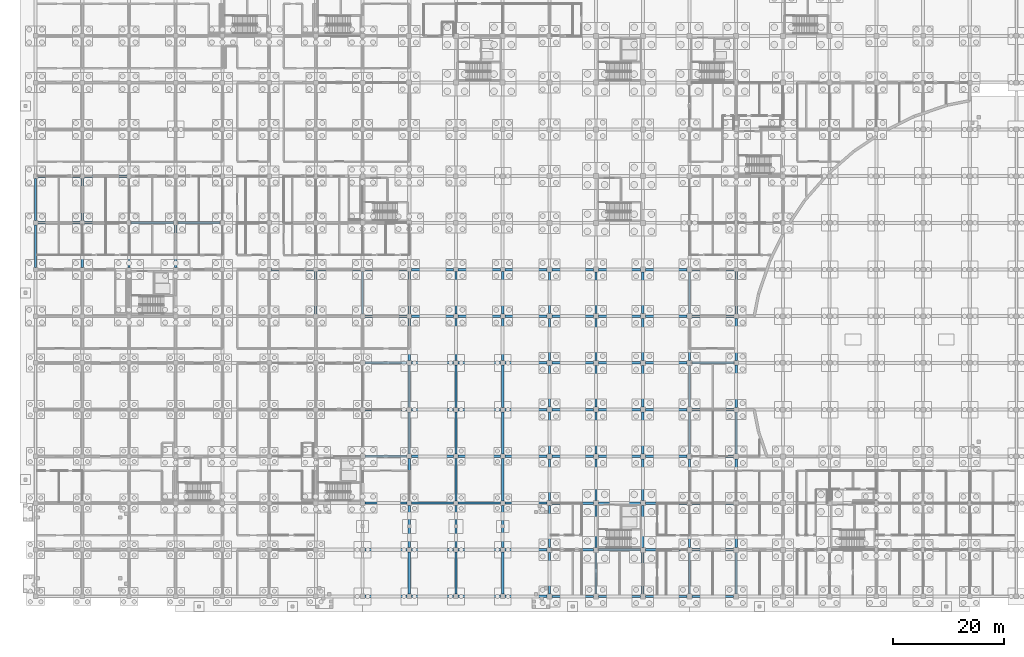
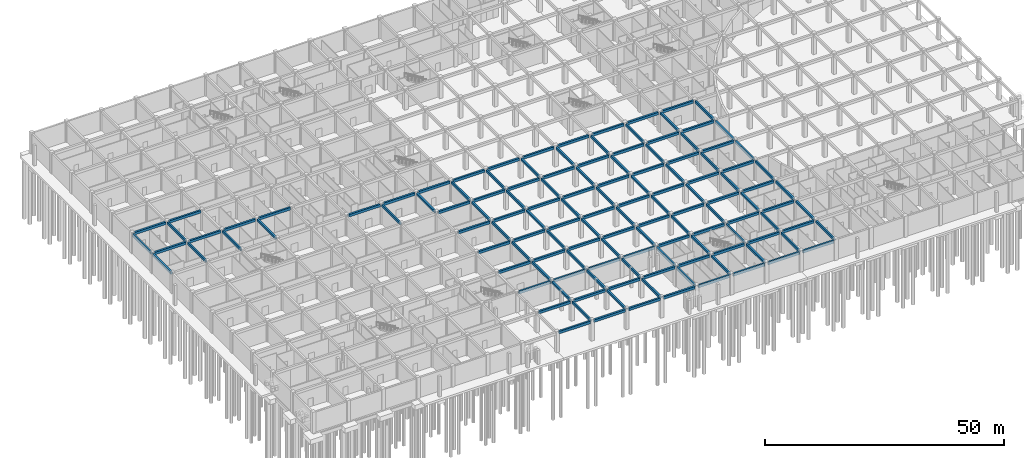
# One storey, part 21 of 65: 136 beams.
"""IFC4 building model written with IfcOpenShell, lengths in metres."""

from ifc_helpers import new_model, si_unit, direction, frame, origin, origin_2d, place, context, subcontext, project, spatial, rectangle, extrude, material, material_profile, profile_set, type_object, element, save


model = new_model("IFC4")

# Units and contexts
model_context = context("Model", 3, precision=1e-05, world=origin(), true_north=direction((0.0, 1.0)))
body_context = subcontext(model_context, "Body", "Model", "MODEL_VIEW")
ifc_project = project(units=[si_unit("LENGTHUNIT", "METRE"), si_unit("AREAUNIT", "SQUARE_METRE"), si_unit("VOLUMEUNIT", "CUBIC_METRE"), si_unit("PLANEANGLEUNIT", "RADIAN"), si_unit("MASSUNIT", "GRAM", prefix="KILO")], contexts=[model_context])

# Site, building, storey
site_placement = place(None, origin())
site = spatial("IfcSite", under=ifc_project, at=site_placement, CompositionType="ELEMENT")
building_placement = place(site_placement, origin())
building = spatial("IfcBuilding", under=site, at=building_placement, Name="Bramfleet General Hospital", CompositionType="ELEMENT")
storey_placement = place(building_placement, frame((0.0, 0.0, -5.39990234375)))
storey = spatial("IfcBuildingStorey", under=building, at=storey_placement, Name="B1", CompositionType="ELEMENT", Elevation=-5.39990234375)

# Beams
ifc_material = material(Name="Concrete C35/45", Category="concrete")
ifc_material_profile_1 = material_profile(ifc_material, rectangle(XDim=0.39990234375, YDim=0.60009765625, at=origin_2d()), Name="RC BM 600x400")
ifc_profile_set_1 = profile_set([ifc_material_profile_1], Name="Concrete C35/45")
beam_type_1 = type_object("IfcBeamType", Name="BM-RC600", PredefinedType="BEAM", material=ifc_profile_set_1)
beam_1_placement = place(storey_placement, frame((8.39990234375, 59.199951171875, 4.77978515625), z_axis=(0.0, 1.0, 0.0), x_axis=(-1.0, 0.0, 0.0)))
element("IfcBeam", 1, at=beam_1_placement, inside=storey, type_object=beam_type_1, Name="B1 Grid Beam Y 01-07", PredefinedType="BEAM", context=body_context, shape_type="SweptSolid", body=[
    extrude(rectangle(XDim=0.39990234375, YDim=0.60009765625, at=origin_2d()), origin(), (0.0, 0.0, 1.0), 7.60009765625),
])
beam_2_placement = place(storey_placement, frame((8.39990234375, 67.60009765625, 4.77978515625), z_axis=(0.0, 1.0, 0.0), x_axis=(-1.0, 0.0, 0.0)))
element("IfcBeam", 2, at=beam_2_placement, inside=storey, type_object=beam_type_1, Name="B1 Grid Beam Y 01-08", PredefinedType="BEAM", context=body_context, shape_type="SweptSolid", body=[
    extrude(rectangle(XDim=0.39990234375, YDim=0.60009765625, at=origin_2d()), origin(), (0.0, 0.0, 1.0), 7.599853515625),
])
for number, where, z_axis, x_axis, name in (
    (3, (16.800048828125, 59.199951171875, 4.77978515625), (0.0, 1.0, 0.0), (-1.0, 0.0, 0.0), "B1 Grid Beam Y 02-07"),
    (4, (25.199951171875, 59.199951171875, 4.77978515625), (0.0, 1.0, 0.0), (-1.0, 0.0, 0.0), "B1 Grid Beam Y 03-07"),
):
    element("IfcBeam", number, at=place(storey_placement, frame(where, z_axis=z_axis, x_axis=x_axis)), inside=storey, type_object=beam_type_1, Name=name, PredefinedType="BEAM", context=body_context, shape_type="SweptSolid", body=[
        extrude(rectangle(XDim=0.39990234375, YDim=0.60009765625, at=origin_2d()), origin(), (0.0, 0.0, 1.0), 7.60009765625),
    ])
for number, where, z_axis, x_axis, name in (
    (5, (50.39990234375, 50.800048828125, 4.77978515625), (0.0, 1.0, 0.0), (-1.0, 0.0, 0.0), "B1 Grid Beam Y 06-06"),
    (6, (58.800048828125, 50.800048828125, 4.77978515625), (0.0, 1.0, 0.0), (-1.0, 0.0, 0.0), "B1 Grid Beam Y 07-06"),
):
    element("IfcBeam", number, at=place(storey_placement, frame(where, z_axis=z_axis, x_axis=x_axis)), inside=storey, type_object=beam_type_1, Name=name, PredefinedType="BEAM", context=body_context, shape_type="SweptSolid", body=[
        extrude(rectangle(XDim=0.39990234375, YDim=0.60009765625, at=origin_2d()), origin(), (0.0, 0.0, 1.0), 7.599853515625),
    ])
beam_3_placement = place(storey_placement, frame((67.199951171875, 0.39990234375, 4.77978515625), z_axis=(0.0, 1.0, 0.0), x_axis=(-1.0, 0.0, 0.0)))
element("IfcBeam", 7, at=beam_3_placement, inside=storey, type_object=beam_type_1, Name="B1 Grid Beam Y 08-00", PredefinedType="BEAM", context=body_context, shape_type="SweptSolid", body=[
    extrude(rectangle(XDim=0.39990234375, YDim=0.60009765625, at=origin_2d()), origin(), (0.0, 0.0, 1.0), 7.60009765625),
])
beam_4_placement = place(storey_placement, frame((67.199951171875, 8.800048828125, 4.77978515625), z_axis=(0.0, 1.0, 0.0), x_axis=(-1.0, 0.0, 0.0)))
element("IfcBeam", 8, at=beam_4_placement, inside=storey, type_object=beam_type_1, Name="B1 Grid Beam Y 08-01", PredefinedType="BEAM", context=body_context, shape_type="SweptSolid", body=[
    extrude(rectangle(XDim=0.39990234375, YDim=0.60009765625, at=origin_2d()), origin(), (0.0, 0.0, 1.0), 7.599853515625),
])
beam_5_placement = place(storey_placement, frame((67.199951171875, 17.199951171875, 4.77978515625), z_axis=(0.0, 1.0, 0.0), x_axis=(-1.0, 0.0, 0.0)))
element("IfcBeam", 9, at=beam_5_placement, inside=storey, type_object=beam_type_1, Name="B1 Grid Beam Y 08-02", PredefinedType="BEAM", context=body_context, shape_type="SweptSolid", body=[
    extrude(rectangle(XDim=0.39990234375, YDim=0.60009765625, at=origin_2d()), origin(), (0.0, 0.0, 1.0), 7.60009765625),
])
beam_6_placement = place(storey_placement, frame((67.199951171875, 25.60009765625, 4.77978515625), z_axis=(0.0, 1.0, 0.0), x_axis=(-1.0, 0.0, 0.0)))
element("IfcBeam", 10, at=beam_6_placement, inside=storey, type_object=beam_type_1, Name="B1 Grid Beam Y 08-03", PredefinedType="BEAM", context=body_context, shape_type="SweptSolid", body=[
    extrude(rectangle(XDim=0.39990234375, YDim=0.60009765625, at=origin_2d()), origin(), (0.0, 0.0, 1.0), 7.599853515625),
])
for number, where, z_axis, x_axis, name in (
    (11, (67.199951171875, 34.0, 4.77978515625), (0.0, 1.0, 0.0), (-1.0, 0.0, 0.0), "B1 Grid Beam Y 08-04"),
    (12, (67.199951171875, 42.39990234375, 4.77978515625), (0.0, 1.0, 0.0), (-1.0, 0.0, 0.0), "B1 Grid Beam Y 08-05"),
):
    element("IfcBeam", number, at=place(storey_placement, frame(where, z_axis=z_axis, x_axis=x_axis)), inside=storey, type_object=beam_type_1, Name=name, PredefinedType="BEAM", context=body_context, shape_type="SweptSolid", body=[
        extrude(rectangle(XDim=0.39990234375, YDim=0.60009765625, at=origin_2d()), origin(), (0.0, 0.0, 1.0), 7.60009765625),
    ])
beam_7_placement = place(storey_placement, frame((67.199951171875, 50.800048828125, 4.77978515625), z_axis=(0.0, 1.0, 0.0), x_axis=(-1.0, 0.0, 0.0)))
element("IfcBeam", 13, at=beam_7_placement, inside=storey, type_object=beam_type_1, Name="B1 Grid Beam Y 08-06", PredefinedType="BEAM", context=body_context, shape_type="SweptSolid", body=[
    extrude(rectangle(XDim=0.39990234375, YDim=0.60009765625, at=origin_2d()), origin(), (0.0, 0.0, 1.0), 7.599853515625),
])
beam_8_placement = place(storey_placement, frame((75.60009765625, 0.39990234375, 4.77978515625), z_axis=(0.0, 1.0, 0.0), x_axis=(-1.0, 0.0, 0.0)))
element("IfcBeam", 14, at=beam_8_placement, inside=storey, type_object=beam_type_1, Name="B1 Grid Beam Y 09-00", PredefinedType="BEAM", context=body_context, shape_type="SweptSolid", body=[
    extrude(rectangle(XDim=0.39990234375, YDim=0.60009765625, at=origin_2d()), origin(), (0.0, 0.0, 1.0), 7.60009765625),
])
beam_9_placement = place(storey_placement, frame((75.60009765625, 8.800048828125, 4.77978515625), z_axis=(0.0, 1.0, 0.0), x_axis=(-1.0, 0.0, 0.0)))
element("IfcBeam", 15, at=beam_9_placement, inside=storey, type_object=beam_type_1, Name="B1 Grid Beam Y 09-01", PredefinedType="BEAM", context=body_context, shape_type="SweptSolid", body=[
    extrude(rectangle(XDim=0.39990234375, YDim=0.60009765625, at=origin_2d()), origin(), (0.0, 0.0, 1.0), 7.599853515625),
])
beam_10_placement = place(storey_placement, frame((75.60009765625, 17.199951171875, 4.77978515625), z_axis=(0.0, 1.0, 0.0), x_axis=(-1.0, 0.0, 0.0)))
element("IfcBeam", 16, at=beam_10_placement, inside=storey, type_object=beam_type_1, Name="B1 Grid Beam Y 09-02", PredefinedType="BEAM", context=body_context, shape_type="SweptSolid", body=[
    extrude(rectangle(XDim=0.39990234375, YDim=0.60009765625, at=origin_2d()), origin(), (0.0, 0.0, 1.0), 7.60009765625),
])
beam_11_placement = place(storey_placement, frame((75.60009765625, 25.60009765625, 4.77978515625), z_axis=(0.0, 1.0, 0.0), x_axis=(-1.0, 0.0, 0.0)))
element("IfcBeam", 17, at=beam_11_placement, inside=storey, type_object=beam_type_1, Name="B1 Grid Beam Y 09-03", PredefinedType="BEAM", context=body_context, shape_type="SweptSolid", body=[
    extrude(rectangle(XDim=0.39990234375, YDim=0.60009765625, at=origin_2d()), origin(), (0.0, 0.0, 1.0), 7.599853515625),
])
for number, where, z_axis, x_axis, name in (
    (18, (75.60009765625, 34.0, 4.77978515625), (0.0, 1.0, 0.0), (-1.0, 0.0, 0.0), "B1 Grid Beam Y 09-04"),
    (19, (75.60009765625, 42.39990234375, 4.77978515625), (0.0, 1.0, 0.0), (-1.0, 0.0, 0.0), "B1 Grid Beam Y 09-05"),
):
    element("IfcBeam", number, at=place(storey_placement, frame(where, z_axis=z_axis, x_axis=x_axis)), inside=storey, type_object=beam_type_1, Name=name, PredefinedType="BEAM", context=body_context, shape_type="SweptSolid", body=[
        extrude(rectangle(XDim=0.39990234375, YDim=0.60009765625, at=origin_2d()), origin(), (0.0, 0.0, 1.0), 7.60009765625),
    ])
beam_12_placement = place(storey_placement, frame((75.60009765625, 50.800048828125, 4.77978515625), z_axis=(0.0, 1.0, 0.0), x_axis=(-1.0, 0.0, 0.0)))
element("IfcBeam", 20, at=beam_12_placement, inside=storey, type_object=beam_type_1, Name="B1 Grid Beam Y 09-06", PredefinedType="BEAM", context=body_context, shape_type="SweptSolid", body=[
    extrude(rectangle(XDim=0.39990234375, YDim=0.60009765625, at=origin_2d()), origin(), (0.0, 0.0, 1.0), 7.599853515625),
])
beam_13_placement = place(storey_placement, frame((84.0, 0.39990234375, 4.77978515625), z_axis=(0.0, 1.0, 0.0), x_axis=(-1.0, 0.0, 0.0)))
element("IfcBeam", 21, at=beam_13_placement, inside=storey, type_object=beam_type_1, Name="B1 Grid Beam Y 10-00", PredefinedType="BEAM", context=body_context, shape_type="SweptSolid", body=[
    extrude(rectangle(XDim=0.39990234375, YDim=0.60009765625, at=origin_2d()), origin(), (0.0, 0.0, 1.0), 7.60009765625),
])
beam_14_placement = place(storey_placement, frame((84.0, 8.800048828125, 4.77978515625), z_axis=(0.0, 1.0, 0.0), x_axis=(-1.0, 0.0, 0.0)))
element("IfcBeam", 22, at=beam_14_placement, inside=storey, type_object=beam_type_1, Name="B1 Grid Beam Y 10-01", PredefinedType="BEAM", context=body_context, shape_type="SweptSolid", body=[
    extrude(rectangle(XDim=0.39990234375, YDim=0.60009765625, at=origin_2d()), origin(), (0.0, 0.0, 1.0), 7.599853515625),
])
beam_15_placement = place(storey_placement, frame((84.0, 17.199951171875, 4.77978515625), z_axis=(0.0, 1.0, 0.0), x_axis=(-1.0, 0.0, 0.0)))
element("IfcBeam", 23, at=beam_15_placement, inside=storey, type_object=beam_type_1, Name="B1 Grid Beam Y 10-02", PredefinedType="BEAM", context=body_context, shape_type="SweptSolid", body=[
    extrude(rectangle(XDim=0.39990234375, YDim=0.60009765625, at=origin_2d()), origin(), (0.0, 0.0, 1.0), 7.60009765625),
])
beam_16_placement = place(storey_placement, frame((84.0, 25.60009765625, 4.77978515625), z_axis=(0.0, 1.0, 0.0), x_axis=(-1.0, 0.0, 0.0)))
element("IfcBeam", 24, at=beam_16_placement, inside=storey, type_object=beam_type_1, Name="B1 Grid Beam Y 10-03", PredefinedType="BEAM", context=body_context, shape_type="SweptSolid", body=[
    extrude(rectangle(XDim=0.39990234375, YDim=0.60009765625, at=origin_2d()), origin(), (0.0, 0.0, 1.0), 7.599853515625),
])
for number, where, z_axis, x_axis, name in (
    (25, (84.0, 34.0, 4.77978515625), (0.0, 1.0, 0.0), (-1.0, 0.0, 0.0), "B1 Grid Beam Y 10-04"),
    (26, (84.0, 42.39990234375, 4.77978515625), (0.0, 1.0, 0.0), (-1.0, 0.0, 0.0), "B1 Grid Beam Y 10-05"),
):
    element("IfcBeam", number, at=place(storey_placement, frame(where, z_axis=z_axis, x_axis=x_axis)), inside=storey, type_object=beam_type_1, Name=name, PredefinedType="BEAM", context=body_context, shape_type="SweptSolid", body=[
        extrude(rectangle(XDim=0.39990234375, YDim=0.60009765625, at=origin_2d()), origin(), (0.0, 0.0, 1.0), 7.60009765625),
    ])
beam_17_placement = place(storey_placement, frame((84.0, 50.800048828125, 4.77978515625), z_axis=(0.0, 1.0, 0.0), x_axis=(-1.0, 0.0, 0.0)))
element("IfcBeam", 27, at=beam_17_placement, inside=storey, type_object=beam_type_1, Name="B1 Grid Beam Y 10-06", PredefinedType="BEAM", context=body_context, shape_type="SweptSolid", body=[
    extrude(rectangle(XDim=0.39990234375, YDim=0.60009765625, at=origin_2d()), origin(), (0.0, 0.0, 1.0), 7.599853515625),
])
for number, where, z_axis, x_axis, name in (
    (28, (92.39990234375, 17.25, 4.77978515625), (0.0, 1.0, 0.0), (-1.0, 0.0, 0.0), "B1 Grid Beam Y 11-02"),
    (29, (92.39990234375, 25.64990234375, 4.77978515625), (0.0, 1.0, 0.0), (-1.0, 0.0, 0.0), "B1 Grid Beam Y 11-03"),
    (30, (92.39990234375, 34.050048828125, 4.77978515625), (0.0, 1.0, 0.0), (-1.0, 0.0, 0.0), "B1 Grid Beam Y 11-04"),
    (31, (92.39990234375, 42.449951171875, 4.77978515625), (0.0, 1.0, 0.0), (-1.0, 0.0, 0.0), "B1 Grid Beam Y 11-05"),
    (32, (92.39990234375, 50.85009765625, 4.77978515625), (0.0, 1.0, 0.0), (-1.0, 0.0, 0.0), "B1 Grid Beam Y 11-06"),
    (33, (100.800048828125, 0.449951171875, 4.77978515625), (0.0, 1.0, 0.0), (-1.0, 0.0, 0.0), "B1 Grid Beam Y 12-00"),
    (34, (100.800048828125, 8.85009765625, 4.77978515625), (0.0, 1.0, 0.0), (-1.0, 0.0, 0.0), "B1 Grid Beam Y 12-01"),
    (35, (100.800048828125, 17.25, 4.77978515625), (0.0, 1.0, 0.0), (-1.0, 0.0, 0.0), "B1 Grid Beam Y 12-02"),
    (36, (100.800048828125, 25.64990234375, 4.77978515625), (0.0, 1.0, 0.0), (-1.0, 0.0, 0.0), "B1 Grid Beam Y 12-03"),
    (37, (100.800048828125, 34.050048828125, 4.77978515625), (0.0, 1.0, 0.0), (-1.0, 0.0, 0.0), "B1 Grid Beam Y 12-04"),
    (38, (100.800048828125, 42.449951171875, 4.77978515625), (0.0, 1.0, 0.0), (-1.0, 0.0, 0.0), "B1 Grid Beam Y 12-05"),
    (39, (100.800048828125, 50.85009765625, 4.77978515625), (0.0, 1.0, 0.0), (-1.0, 0.0, 0.0), "B1 Grid Beam Y 12-06"),
    (40, (109.199951171875, 0.449951171875, 4.77978515625), (0.0, 1.0, 0.0), (-1.0, 0.0, 0.0), "B1 Grid Beam Y 13-00"),
    (41, (109.199951171875, 8.85009765625, 4.77978515625), (0.0, 1.0, 0.0), (-1.0, 0.0, 0.0), "B1 Grid Beam Y 13-01"),
    (42, (109.199951171875, 17.25, 4.77978515625), (0.0, 1.0, 0.0), (-1.0, 0.0, 0.0), "B1 Grid Beam Y 13-02"),
    (43, (109.199951171875, 25.64990234375, 4.77978515625), (0.0, 1.0, 0.0), (-1.0, 0.0, 0.0), "B1 Grid Beam Y 13-03"),
    (44, (109.199951171875, 34.050048828125, 4.77978515625), (0.0, 1.0, 0.0), (-1.0, 0.0, 0.0), "B1 Grid Beam Y 13-04"),
    (45, (109.199951171875, 42.449951171875, 4.77978515625), (0.0, 1.0, 0.0), (-1.0, 0.0, 0.0), "B1 Grid Beam Y 13-05"),
    (46, (109.199951171875, 50.85009765625, 4.77978515625), (0.0, 1.0, 0.0), (-1.0, 0.0, 0.0), "B1 Grid Beam Y 13-06"),
    (47, (117.60009765625, 0.449951171875, 4.77978515625), (0.0, 1.0, 0.0), (-1.0, 0.0, 0.0), "B1 Grid Beam Y 14-00"),
    (48, (117.60009765625, 8.85009765625, 4.77978515625), (0.0, 1.0, 0.0), (-1.0, 0.0, 0.0), "B1 Grid Beam Y 14-01"),
    (49, (117.60009765625, 17.25, 4.77978515625), (0.0, 1.0, 0.0), (-1.0, 0.0, 0.0), "B1 Grid Beam Y 14-02"),
    (50, (117.60009765625, 25.64990234375, 4.77978515625), (0.0, 1.0, 0.0), (-1.0, 0.0, 0.0), "B1 Grid Beam Y 14-03"),
    (51, (117.60009765625, 34.050048828125, 4.77978515625), (0.0, 1.0, 0.0), (-1.0, 0.0, 0.0), "B1 Grid Beam Y 14-04"),
    (52, (117.60009765625, 42.449951171875, 4.77978515625), (0.0, 1.0, 0.0), (-1.0, 0.0, 0.0), "B1 Grid Beam Y 14-05"),
    (53, (117.60009765625, 50.85009765625, 4.77978515625), (0.0, 1.0, 0.0), (-1.0, 0.0, 0.0), "B1 Grid Beam Y 14-06"),
    (54, (126.0, 0.449951171875, 4.77978515625), (0.0, 1.0, 0.0), (-1.0, 0.0, 0.0), "B1 Grid Beam Y 15-00"),
    (55, (126.0, 8.85009765625, 4.77978515625), (0.0, 1.0, 0.0), (-1.0, 0.0, 0.0), "B1 Grid Beam Y 15-01"),
    (56, (126.0, 17.25, 4.77978515625), (0.0, 1.0, 0.0), (-1.0, 0.0, 0.0), "B1 Grid Beam Y 15-02"),
):
    element("IfcBeam", number, at=place(storey_placement, frame(where, z_axis=z_axis, x_axis=x_axis)), inside=storey, type_object=beam_type_1, Name=name, PredefinedType="BEAM", context=body_context, shape_type="SweptSolid", body=[
        extrude(rectangle(XDim=0.39990234375, YDim=0.60009765625, at=origin_2d()), origin(), (0.0, 0.0, 1.0), 7.5),
    ])
beam_18_placement = place(storey_placement, frame((126.0, 25.64990234375, 4.77978515625), z_axis=(0.0, 1.0, 0.0), x_axis=(-1.0, 0.0, 0.0)))
element("IfcBeam", 57, at=beam_18_placement, inside=storey, type_object=beam_type_1, Name="B1 Grid Beam Y 15-03", PredefinedType="BEAM", context=body_context, shape_type="SweptSolid", body=[
    extrude(rectangle(XDim=0.39990234375, YDim=0.60009765625, at=origin_2d()), origin(), (0.0, 0.0, 1.0), 7.550048828125),
])
beam_19_placement = place(storey_placement, frame((126.0, 50.800048828125, 4.77978515625), z_axis=(0.0, 1.0, 0.0), x_axis=(-1.0, 0.0, 0.0)))
element("IfcBeam", 58, at=beam_19_placement, inside=storey, type_object=beam_type_1, Name="B1 Grid Beam Y 15-06", PredefinedType="BEAM", context=body_context, shape_type="SweptSolid", body=[
    extrude(rectangle(XDim=0.39990234375, YDim=0.60009765625, at=origin_2d()), origin(), (0.0, 0.0, 1.0), 7.599853515625),
])
ifc_material_profile_2 = material_profile(ifc_material, rectangle(XDim=0.449951171875, YDim=0.64990234375, at=origin_2d()), Name="RC BM 650x450")
ifc_profile_set_2 = profile_set([ifc_material_profile_2], Name="Concrete C35/45")
beam_type_2 = type_object("IfcBeamType", Name="BM-RC650", PredefinedType="BEAM", material=ifc_profile_set_2)
for number, where, z_axis, x_axis, name in (
    (59, (0.39990234375, 67.199951171875, 4.7548828125), (1.0, 0.0, 0.0), (0.0, 1.0, 0.0), "B1 Grid Beam X 00-08"),
    (60, (0.39990234375, 75.60009765625, 4.7548828125), (1.0, 0.0, 0.0), (0.0, 1.0, 0.0), "B1 Grid Beam X 00-09"),
):
    element("IfcBeam", number, at=place(storey_placement, frame(where, z_axis=z_axis, x_axis=x_axis)), inside=storey, type_object=beam_type_2, Name=name, PredefinedType="BEAM", context=body_context, shape_type="SweptSolid", body=[
        extrude(rectangle(XDim=0.449951171875, YDim=0.64990234375, at=origin_2d()), origin(), (0.0, 0.0, 1.0), 7.60009765625),
    ])
for number, where, z_axis, x_axis, name in (
    (61, (8.800048828125, 67.199951171875, 4.7548828125), (1.0, 0.0, 0.0), (0.0, 1.0, 0.0), "B1 Grid Beam X 01-08"),
    (62, (8.800048828125, 75.60009765625, 4.7548828125), (1.0, 0.0, 0.0), (0.0, 1.0, 0.0), "B1 Grid Beam X 01-09"),
):
    element("IfcBeam", number, at=place(storey_placement, frame(where, z_axis=z_axis, x_axis=x_axis)), inside=storey, type_object=beam_type_2, Name=name, PredefinedType="BEAM", context=body_context, shape_type="SweptSolid", body=[
        extrude(rectangle(XDim=0.449951171875, YDim=0.64990234375, at=origin_2d()), origin(), (0.0, 0.0, 1.0), 7.599853515625),
    ])
beam_20_placement = place(storey_placement, frame((17.199951171875, 67.199951171875, 4.7548828125), z_axis=(1.0, 0.0, 0.0), x_axis=(0.0, 1.0, 0.0)))
element("IfcBeam", 63, at=beam_20_placement, inside=storey, type_object=beam_type_2, Name="B1 Grid Beam X 02-08", PredefinedType="BEAM", context=body_context, shape_type="SweptSolid", body=[
    extrude(rectangle(XDim=0.449951171875, YDim=0.64990234375, at=origin_2d()), origin(), (0.0, 0.0, 1.0), 7.60009765625),
])
beam_21_placement = place(storey_placement, frame((25.60009765625, 67.199951171875, 4.7548828125), z_axis=(1.0, 0.0, 0.0), x_axis=(0.0, 1.0, 0.0)))
element("IfcBeam", 64, at=beam_21_placement, inside=storey, type_object=beam_type_2, Name="B1 Grid Beam X 03-08", PredefinedType="BEAM", context=body_context, shape_type="SweptSolid", body=[
    extrude(rectangle(XDim=0.449951171875, YDim=0.64990234375, at=origin_2d()), origin(), (0.0, 0.0, 1.0), 7.599853515625),
])
beam_22_placement = place(storey_placement, frame((42.39990234375, 58.800048828125, 4.7548828125), z_axis=(1.0, 0.0, 0.0), x_axis=(0.0, 1.0, 0.0)))
element("IfcBeam", 65, at=beam_22_placement, inside=storey, type_object=beam_type_2, Name="B1 Grid Beam X 05-07", PredefinedType="BEAM", context=body_context, shape_type="SweptSolid", body=[
    extrude(rectangle(XDim=0.449951171875, YDim=0.64990234375, at=origin_2d()), origin(), (0.0, 0.0, 1.0), 7.60009765625),
])
beam_23_placement = place(storey_placement, frame((50.800048828125, 58.800048828125, 4.7548828125), z_axis=(1.0, 0.0, 0.0), x_axis=(0.0, 1.0, 0.0)))
element("IfcBeam", 66, at=beam_23_placement, inside=storey, type_object=beam_type_2, Name="B1 Grid Beam X 06-07", PredefinedType="BEAM", context=body_context, shape_type="SweptSolid", body=[
    extrude(rectangle(XDim=0.449951171875, YDim=0.64990234375, at=origin_2d()), origin(), (0.0, 0.0, 1.0), 7.599853515625),
])
for number, where, z_axis, x_axis, name in (
    (67, (59.199951171875, 0.0, 4.7548828125), (1.0, 0.0, 0.0), (0.0, 1.0, 0.0), "B1 Grid Beam X 07-00"),
    (68, (59.199951171875, 8.39990234375, 4.7548828125), (1.0, 0.0, 0.0), (0.0, 1.0, 0.0), "B1 Grid Beam X 07-01"),
    (69, (59.199951171875, 25.199951171875, 4.7548828125), (1.0, 0.0, 0.0), (0.0, 1.0, 0.0), "B1 Grid Beam X 07-03"),
    (70, (59.199951171875, 33.60009765625, 4.7548828125), (1.0, 0.0, 0.0), (0.0, 1.0, 0.0), "B1 Grid Beam X 07-04"),
    (71, (59.199951171875, 42.0, 4.7548828125), (1.0, 0.0, 0.0), (0.0, 1.0, 0.0), "B1 Grid Beam X 07-05"),
    (72, (59.199951171875, 50.39990234375, 4.7548828125), (1.0, 0.0, 0.0), (0.0, 1.0, 0.0), "B1 Grid Beam X 07-06"),
    (73, (59.199951171875, 58.800048828125, 4.7548828125), (1.0, 0.0, 0.0), (0.0, 1.0, 0.0), "B1 Grid Beam X 07-07"),
):
    element("IfcBeam", number, at=place(storey_placement, frame(where, z_axis=z_axis, x_axis=x_axis)), inside=storey, type_object=beam_type_2, Name=name, PredefinedType="BEAM", context=body_context, shape_type="SweptSolid", body=[
        extrude(rectangle(XDim=0.449951171875, YDim=0.64990234375, at=origin_2d()), origin(), (0.0, 0.0, 1.0), 7.60009765625),
    ])
for number, where, z_axis, x_axis, name in (
    (74, (67.60009765625, 0.0, 4.7548828125), (1.0, 0.0, 0.0), (0.0, 1.0, 0.0), "B1 Grid Beam X 08-00"),
    (75, (67.60009765625, 8.39990234375, 4.7548828125), (1.0, 0.0, 0.0), (0.0, 1.0, 0.0), "B1 Grid Beam X 08-01"),
    (76, (67.60009765625, 25.199951171875, 4.7548828125), (1.0, 0.0, 0.0), (0.0, 1.0, 0.0), "B1 Grid Beam X 08-03"),
    (77, (67.60009765625, 33.60009765625, 4.7548828125), (1.0, 0.0, 0.0), (0.0, 1.0, 0.0), "B1 Grid Beam X 08-04"),
    (78, (67.60009765625, 42.0, 4.7548828125), (1.0, 0.0, 0.0), (0.0, 1.0, 0.0), "B1 Grid Beam X 08-05"),
    (79, (67.60009765625, 50.39990234375, 4.7548828125), (1.0, 0.0, 0.0), (0.0, 1.0, 0.0), "B1 Grid Beam X 08-06"),
    (80, (67.60009765625, 58.800048828125, 4.7548828125), (1.0, 0.0, 0.0), (0.0, 1.0, 0.0), "B1 Grid Beam X 08-07"),
):
    element("IfcBeam", number, at=place(storey_placement, frame(where, z_axis=z_axis, x_axis=x_axis)), inside=storey, type_object=beam_type_2, Name=name, PredefinedType="BEAM", context=body_context, shape_type="SweptSolid", body=[
        extrude(rectangle(XDim=0.449951171875, YDim=0.64990234375, at=origin_2d()), origin(), (0.0, 0.0, 1.0), 7.599853515625),
    ])
for number, where, z_axis, x_axis, name in (
    (81, (76.0, 0.0, 4.7548828125), (1.0, 0.0, 0.0), (0.0, 1.0, 0.0), "B1 Grid Beam X 09-00"),
    (82, (76.0, 8.39990234375, 4.7548828125), (1.0, 0.0, 0.0), (0.0, 1.0, 0.0), "B1 Grid Beam X 09-01"),
    (83, (76.0, 25.199951171875, 4.7548828125), (1.0, 0.0, 0.0), (0.0, 1.0, 0.0), "B1 Grid Beam X 09-03"),
    (84, (76.0, 33.60009765625, 4.7548828125), (1.0, 0.0, 0.0), (0.0, 1.0, 0.0), "B1 Grid Beam X 09-04"),
    (85, (76.0, 42.0, 4.7548828125), (1.0, 0.0, 0.0), (0.0, 1.0, 0.0), "B1 Grid Beam X 09-05"),
    (86, (76.0, 50.39990234375, 4.7548828125), (1.0, 0.0, 0.0), (0.0, 1.0, 0.0), "B1 Grid Beam X 09-06"),
    (87, (76.0, 58.800048828125, 4.7548828125), (1.0, 0.0, 0.0), (0.0, 1.0, 0.0), "B1 Grid Beam X 09-07"),
):
    element("IfcBeam", number, at=place(storey_placement, frame(where, z_axis=z_axis, x_axis=x_axis)), inside=storey, type_object=beam_type_2, Name=name, PredefinedType="BEAM", context=body_context, shape_type="SweptSolid", body=[
        extrude(rectangle(XDim=0.449951171875, YDim=0.64990234375, at=origin_2d()), origin(), (0.0, 0.0, 1.0), 7.60009765625),
    ])
for number, where, z_axis, x_axis, name in (
    (88, (84.39990234375, 0.0, 4.7548828125), (1.0, 0.0, 0.0), (0.0, 1.0, 0.0), "B1 Grid Beam X 10-00"),
    (89, (84.39990234375, 8.39990234375, 4.7548828125), (1.0, 0.0, 0.0), (0.0, 1.0, 0.0), "B1 Grid Beam X 10-01"),
    (90, (84.39990234375, 25.199951171875, 4.7548828125), (1.0, 0.0, 0.0), (0.0, 1.0, 0.0), "B1 Grid Beam X 10-03"),
    (91, (84.39990234375, 33.60009765625, 4.7548828125), (1.0, 0.0, 0.0), (0.0, 1.0, 0.0), "B1 Grid Beam X 10-04"),
    (92, (84.39990234375, 42.0, 4.7548828125), (1.0, 0.0, 0.0), (0.0, 1.0, 0.0), "B1 Grid Beam X 10-05"),
    (93, (84.39990234375, 50.39990234375, 4.7548828125), (1.0, 0.0, 0.0), (0.0, 1.0, 0.0), "B1 Grid Beam X 10-06"),
    (94, (84.39990234375, 58.800048828125, 4.7548828125), (1.0, 0.0, 0.0), (0.0, 1.0, 0.0), "B1 Grid Beam X 10-07"),
):
    element("IfcBeam", number, at=place(storey_placement, frame(where, z_axis=z_axis, x_axis=x_axis)), inside=storey, type_object=beam_type_2, Name=name, PredefinedType="BEAM", context=body_context, shape_type="SweptSolid", body=[
        extrude(rectangle(XDim=0.449951171875, YDim=0.64990234375, at=origin_2d()), origin(), (0.0, 0.0, 1.0), 7.550048828125),
    ])
for number, where, z_axis, x_axis, name in (
    (95, (92.85009765625, 8.39990234375, 4.7548828125), (1.0, 0.0, 0.0), (0.0, 1.0, 0.0), "B1 Grid Beam X 11-01"),
    (96, (92.85009765625, 16.800048828125, 4.7548828125), (1.0, 0.0, 0.0), (0.0, 1.0, 0.0), "B1 Grid Beam X 11-02"),
    (97, (92.85009765625, 25.199951171875, 4.7548828125), (1.0, 0.0, 0.0), (0.0, 1.0, 0.0), "B1 Grid Beam X 11-03"),
    (98, (92.85009765625, 33.60009765625, 4.7548828125), (1.0, 0.0, 0.0), (0.0, 1.0, 0.0), "B1 Grid Beam X 11-04"),
    (99, (92.85009765625, 42.0, 4.7548828125), (1.0, 0.0, 0.0), (0.0, 1.0, 0.0), "B1 Grid Beam X 11-05"),
    (100, (92.85009765625, 50.39990234375, 4.7548828125), (1.0, 0.0, 0.0), (0.0, 1.0, 0.0), "B1 Grid Beam X 11-06"),
    (101, (92.85009765625, 58.800048828125, 4.7548828125), (1.0, 0.0, 0.0), (0.0, 1.0, 0.0), "B1 Grid Beam X 11-07"),
    (102, (101.25, 8.39990234375, 4.7548828125), (1.0, 0.0, 0.0), (0.0, 1.0, 0.0), "B1 Grid Beam X 12-01"),
    (103, (101.25, 16.800048828125, 4.7548828125), (1.0, 0.0, 0.0), (0.0, 1.0, 0.0), "B1 Grid Beam X 12-02"),
    (104, (101.25, 25.199951171875, 4.7548828125), (1.0, 0.0, 0.0), (0.0, 1.0, 0.0), "B1 Grid Beam X 12-03"),
    (105, (101.25, 33.60009765625, 4.7548828125), (1.0, 0.0, 0.0), (0.0, 1.0, 0.0), "B1 Grid Beam X 12-04"),
    (106, (101.25, 42.0, 4.7548828125), (1.0, 0.0, 0.0), (0.0, 1.0, 0.0), "B1 Grid Beam X 12-05"),
    (107, (101.25, 50.39990234375, 4.7548828125), (1.0, 0.0, 0.0), (0.0, 1.0, 0.0), "B1 Grid Beam X 12-06"),
    (108, (101.25, 58.800048828125, 4.7548828125), (1.0, 0.0, 0.0), (0.0, 1.0, 0.0), "B1 Grid Beam X 12-07"),
    (109, (109.64990234375, 8.39990234375, 4.7548828125), (1.0, 0.0, 0.0), (0.0, 1.0, 0.0), "B1 Grid Beam X 13-01"),
    (110, (109.64990234375, 16.800048828125, 4.7548828125), (1.0, 0.0, 0.0), (0.0, 1.0, 0.0), "B1 Grid Beam X 13-02"),
    (111, (109.64990234375, 25.199951171875, 4.7548828125), (1.0, 0.0, 0.0), (0.0, 1.0, 0.0), "B1 Grid Beam X 13-03"),
    (112, (109.64990234375, 33.60009765625, 4.7548828125), (1.0, 0.0, 0.0), (0.0, 1.0, 0.0), "B1 Grid Beam X 13-04"),
    (113, (109.64990234375, 42.0, 4.7548828125), (1.0, 0.0, 0.0), (0.0, 1.0, 0.0), "B1 Grid Beam X 13-05"),
    (114, (109.64990234375, 50.39990234375, 4.7548828125), (1.0, 0.0, 0.0), (0.0, 1.0, 0.0), "B1 Grid Beam X 13-06"),
    (115, (109.64990234375, 58.800048828125, 4.7548828125), (1.0, 0.0, 0.0), (0.0, 1.0, 0.0), "B1 Grid Beam X 13-07"),
    (116, (118.050048828125, 8.39990234375, 4.7548828125), (1.0, 0.0, 0.0), (0.0, 1.0, 0.0), "B1 Grid Beam X 14-01"),
    (117, (118.050048828125, 16.800048828125, 4.7548828125), (1.0, 0.0, 0.0), (0.0, 1.0, 0.0), "B1 Grid Beam X 14-02"),
    (118, (118.050048828125, 25.199951171875, 4.7548828125), (1.0, 0.0, 0.0), (0.0, 1.0, 0.0), "B1 Grid Beam X 14-03"),
):
    element("IfcBeam", number, at=place(storey_placement, frame(where, z_axis=z_axis, x_axis=x_axis)), inside=storey, type_object=beam_type_2, Name=name, PredefinedType="BEAM", context=body_context, shape_type="SweptSolid", body=[
        extrude(rectangle(XDim=0.449951171875, YDim=0.64990234375, at=origin_2d()), origin(), (0.0, 0.0, 1.0), 7.5),
    ])
for number, where, z_axis, x_axis, name in (
    (119, (118.050048828125, 33.60009765625, 4.7548828125), (1.0, 0.0, 0.0), (0.0, 1.0, 0.0), "B1 Grid Beam X 14-04"),
    (120, (118.050048828125, 42.0, 4.7548828125), (1.0, 0.0, 0.0), (0.0, 1.0, 0.0), "B1 Grid Beam X 14-05"),
    (121, (118.050048828125, 50.39990234375, 4.7548828125), (1.0, 0.0, 0.0), (0.0, 1.0, 0.0), "B1 Grid Beam X 14-06"),
    (122, (118.050048828125, 58.800048828125, 4.7548828125), (1.0, 0.0, 0.0), (0.0, 1.0, 0.0), "B1 Grid Beam X 14-07"),
):
    element("IfcBeam", number, at=place(storey_placement, frame(where, z_axis=z_axis, x_axis=x_axis)), inside=storey, type_object=beam_type_2, Name=name, PredefinedType="BEAM", context=body_context, shape_type="SweptSolid", body=[
        extrude(rectangle(XDim=0.449951171875, YDim=0.64990234375, at=origin_2d()), origin(), (0.0, 0.0, 1.0), 7.550048828125),
    ])
ifc_material_profile_3 = material_profile(ifc_material, rectangle(XDim=0.39990234375, YDim=0.699951171875, at=origin_2d()), Name="RC SP 700x400")
ifc_profile_set_3 = profile_set([ifc_material_profile_3], Name="Concrete C35/45")
beam_type_3 = type_object("IfcBeamType", Name="BM-SP700", PredefinedType="SPANDREL", material=ifc_profile_set_3)
beam_24_placement = place(storey_placement, frame((59.199951171875, 16.800048828125, 4.72998046875), z_axis=(1.0, 0.0, 0.0), x_axis=(0.0, 1.0, 0.0)))
element("IfcBeam", 123, at=beam_24_placement, inside=storey, type_object=beam_type_3, Name="B1 Grid Beam X 07-02", PredefinedType="SPANDREL", context=body_context, shape_type="SweptSolid", body=[
    extrude(rectangle(XDim=0.39990234375, YDim=0.699951171875, at=origin_2d()), origin(), (0.0, 0.0, 1.0), 7.60009765625),
])
beam_25_placement = place(storey_placement, frame((67.60009765625, 16.800048828125, 4.72998046875), z_axis=(1.0, 0.0, 0.0), x_axis=(0.0, 1.0, 0.0)))
element("IfcBeam", 124, at=beam_25_placement, inside=storey, type_object=beam_type_3, Name="B1 Grid Beam X 08-02", PredefinedType="SPANDREL", context=body_context, shape_type="SweptSolid", body=[
    extrude(rectangle(XDim=0.39990234375, YDim=0.699951171875, at=origin_2d()), origin(), (0.0, 0.0, 1.0), 7.599853515625),
])
beam_26_placement = place(storey_placement, frame((76.0, 16.800048828125, 4.72998046875), z_axis=(1.0, 0.0, 0.0), x_axis=(0.0, 1.0, 0.0)))
element("IfcBeam", 125, at=beam_26_placement, inside=storey, type_object=beam_type_3, Name="B1 Grid Beam X 09-02", PredefinedType="SPANDREL", context=body_context, shape_type="SweptSolid", body=[
    extrude(rectangle(XDim=0.39990234375, YDim=0.699951171875, at=origin_2d()), origin(), (0.0, 0.0, 1.0), 7.60009765625),
])
beam_27_placement = place(storey_placement, frame((84.39990234375, 16.800048828125, 4.72998046875), z_axis=(1.0, 0.0, 0.0), x_axis=(0.0, 1.0, 0.0)))
element("IfcBeam", 126, at=beam_27_placement, inside=storey, type_object=beam_type_3, Name="B1 Grid Beam X 10-02", PredefinedType="SPANDREL", context=body_context, shape_type="SweptSolid", body=[
    extrude(rectangle(XDim=0.39990234375, YDim=0.699951171875, at=origin_2d()), origin(), (0.0, 0.0, 1.0), 7.550048828125),
])
for number, where, z_axis, x_axis, name in (
    (127, (92.85009765625, 0.0, 4.72998046875), (1.0, 0.0, 0.0), (0.0, 1.0, 0.0), "B1 Grid Beam X 11-00"),
    (128, (101.25, 0.0, 4.72998046875), (1.0, 0.0, 0.0), (0.0, 1.0, 0.0), "B1 Grid Beam X 12-00"),
    (129, (109.64990234375, 0.0, 4.72998046875), (1.0, 0.0, 0.0), (0.0, 1.0, 0.0), "B1 Grid Beam X 13-00"),
    (130, (118.050048828125, 0.0, 4.72998046875), (1.0, 0.0, 0.0), (0.0, 1.0, 0.0), "B1 Grid Beam X 14-00"),
):
    element("IfcBeam", number, at=place(storey_placement, frame(where, z_axis=z_axis, x_axis=x_axis)), inside=storey, type_object=beam_type_3, Name=name, PredefinedType="SPANDREL", context=body_context, shape_type="SweptSolid", body=[
        extrude(rectangle(XDim=0.39990234375, YDim=0.699951171875, at=origin_2d()), origin(), (0.0, 0.0, 1.0), 7.5),
    ])
beam_28_placement = place(storey_placement, frame((0.0, 59.199951171875, 4.72998046875), z_axis=(0.0, 1.0, 0.0), x_axis=(-1.0, 0.0, 0.0)))
element("IfcBeam", 131, at=beam_28_placement, inside=storey, type_object=beam_type_3, Name="B1 Grid Beam Y 00-07", PredefinedType="SPANDREL", context=body_context, shape_type="SweptSolid", body=[
    extrude(rectangle(XDim=0.39990234375, YDim=0.699951171875, at=origin_2d()), origin(), (0.0, 0.0, 1.0), 7.60009765625),
])
beam_29_placement = place(storey_placement, frame((0.0, 67.60009765625, 4.72998046875), z_axis=(0.0, 1.0, 0.0), x_axis=(-1.0, 0.0, 0.0)))
element("IfcBeam", 132, at=beam_29_placement, inside=storey, type_object=beam_type_3, Name="B1 Grid Beam Y 00-08", PredefinedType="SPANDREL", context=body_context, shape_type="SweptSolid", body=[
    extrude(rectangle(XDim=0.39990234375, YDim=0.699951171875, at=origin_2d()), origin(), (0.0, 0.0, 1.0), 7.599853515625),
])
for number, where, z_axis, x_axis, name in (
    (133, (92.39990234375, 0.449951171875, 4.72998046875), (0.0, 1.0, 0.0), (-1.0, 0.0, 0.0), "B1 Grid Beam Y 11-00"),
    (134, (92.39990234375, 8.85009765625, 4.72998046875), (0.0, 1.0, 0.0), (-1.0, 0.0, 0.0), "B1 Grid Beam Y 11-01"),
):
    element("IfcBeam", number, at=place(storey_placement, frame(where, z_axis=z_axis, x_axis=x_axis)), inside=storey, type_object=beam_type_3, Name=name, PredefinedType="SPANDREL", context=body_context, shape_type="SweptSolid", body=[
        extrude(rectangle(XDim=0.39990234375, YDim=0.699951171875, at=origin_2d()), origin(), (0.0, 0.0, 1.0), 7.5),
    ])
for number, where, z_axis, x_axis, name in (
    (135, (126.0, 34.0, 4.72998046875), (0.0, 1.0, 0.0), (-1.0, 0.0, 0.0), "B1 Grid Beam Y 15-04"),
    (136, (126.0, 42.39990234375, 4.72998046875), (0.0, 1.0, 0.0), (-1.0, 0.0, 0.0), "B1 Grid Beam Y 15-05"),
):
    element("IfcBeam", number, at=place(storey_placement, frame(where, z_axis=z_axis, x_axis=x_axis)), inside=storey, type_object=beam_type_3, Name=name, PredefinedType="SPANDREL", context=body_context, shape_type="SweptSolid", body=[
        extrude(rectangle(XDim=0.39990234375, YDim=0.699951171875, at=origin_2d()), origin(), (0.0, 0.0, 1.0), 7.60009765625),
    ])

save(model, "model.ifc")
